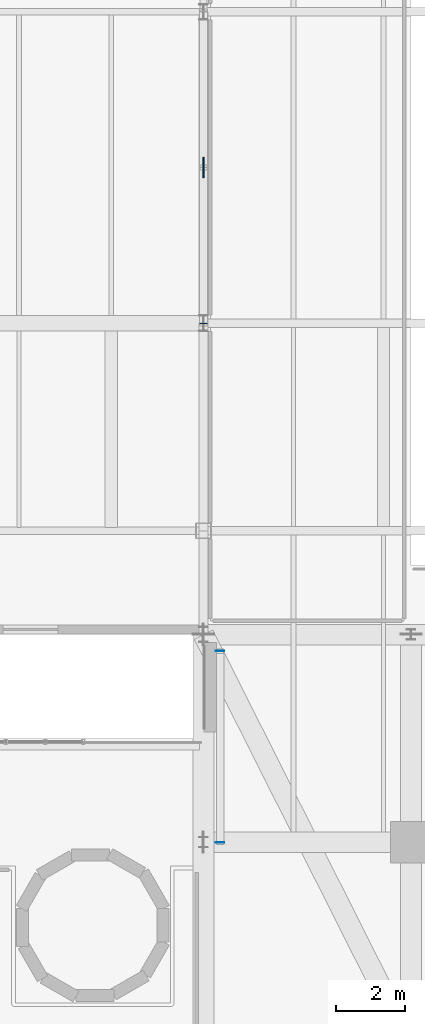
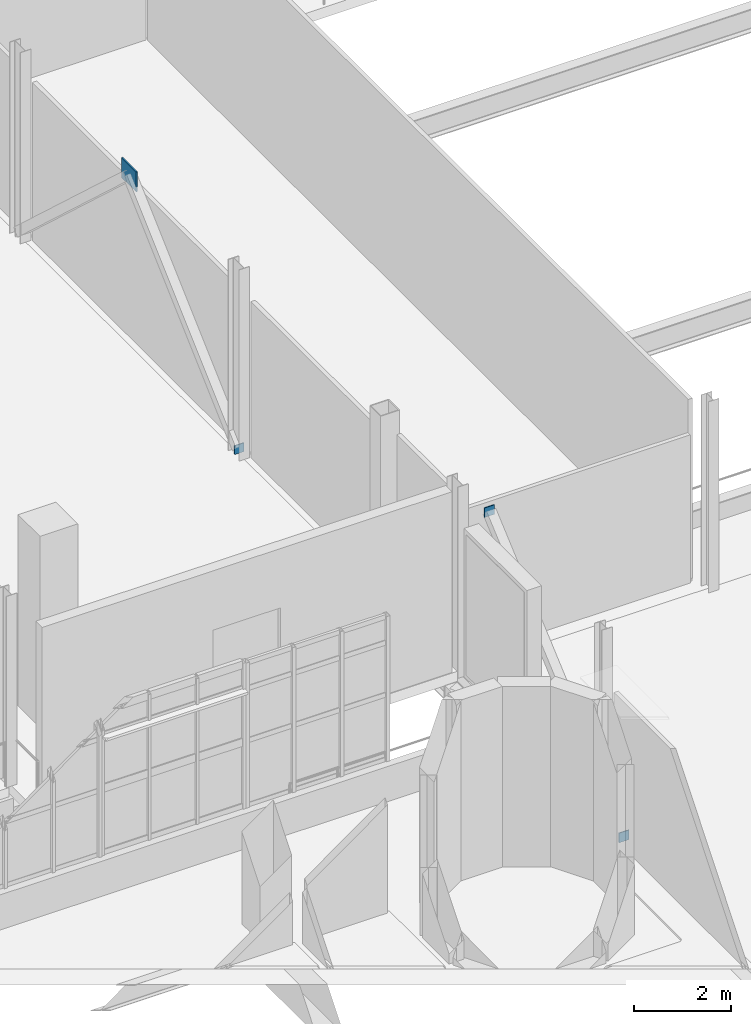
# One storey, part 78 of 100: 4 plates.
"""IFC4 building model written with IfcOpenShell, lengths in metres."""

from ifc_helpers import new_model, si_unit, derived_unit, direction, frame, origin, origin_2d, place, context, subcontext, project, spatial, rectangle, extrude, material, layer, layer_set, type_object, element, save


model = new_model("IFC4")

# Units and contexts
model_context = context("Model", 3, precision=1e-05, world=origin(), true_north=direction((0.0, 1.0)))
body_context = subcontext(model_context, "Body", "Model", "MODEL_VIEW")
ifc_project = project(units=[si_unit("LENGTHUNIT", "METRE"), si_unit("AREAUNIT", "SQUARE_METRE"), si_unit("VOLUMEUNIT", "CUBIC_METRE"), si_unit("PLANEANGLEUNIT", "RADIAN"), si_unit("MASSUNIT", "GRAM", prefix="KILO"), derived_unit("THERMALTRANSMITTANCEUNIT", [(si_unit("POWERUNIT", "WATT"), 1), (si_unit("LENGTHUNIT", "METRE"), -2), (si_unit("THERMODYNAMICTEMPERATUREUNIT", "KELVIN"), -1)])], contexts=[model_context])

# Site, building, storey
site_placement = place(None, origin())
site = spatial("IfcSite", under=ifc_project, at=site_placement, CompositionType="ELEMENT")
building_placement = place(site_placement, origin())
building = spatial("IfcBuilding", under=site, at=building_placement, Name="Nallur Shell Playhouse", CompositionType="ELEMENT")
storey_placement = place(building_placement, frame((0.0, 0.0, 10.199951171875)))
storey = spatial("IfcBuildingStorey", under=building, at=storey_placement, Name="L03", CompositionType="ELEMENT", Elevation=10.199951171875)

# Plates
ifc_material = material(Name="Steel E350", Category="steel")
ifc_layer_1 = layer(ifc_material, 0.02001953125)
ifc_layer_set_1 = layer_set([ifc_layer_1], Name="Steel E350")
plate_type_1 = type_object("IfcPlateType", Name="PT-ENDCAP-20", PredefinedType="SHEET", material=ifc_layer_set_1)
for number, where, z_axis, x_axis, name in (
    (1, (64.47998046875, 40.992431640625, -0.78662109375), (0.0, 0.0, 1.0), (1.0, 0.0, 0.0), "Hollow end cap EC-GBD-L03-2-A"),
    (2, (64.47998046875, 46.527587890625, 4.02685546875), (0.0, 0.0, 1.0), (1.0, 0.0, 0.0), "Hollow end cap EC-GBD-L03-2-B"),
):
    element("IfcPlate", number, at=place(storey_placement, frame(where, z_axis=z_axis, x_axis=x_axis)), inside=storey, type_object=plate_type_1, Name=name, PredefinedType="SHEET", context=body_context, shape_type="SweptSolid", body=[
        extrude(rectangle(XDim=0.239990234375, YDim=0.02001953125, at=origin_2d()), origin(), (0.0, 0.0, 1.0), 0.239990234375),
    ])
plate_1_placement = place(storey_placement, frame((64.0, 55.99267578125, 0.033203125), z_axis=(0.0, 0.0, 1.0), x_axis=(1.0, 0.0, 0.0)))
element("IfcPlate", 3, at=plate_1_placement, inside=storey, type_object=plate_type_1, Name="Hollow end cap EC-BR-FT-L03-017-0", PredefinedType="SHEET", context=body_context, shape_type="SweptSolid", body=[
    extrude(rectangle(XDim=0.219970703125, YDim=0.02001953125, at=origin_2d()), origin(), (0.0, 0.0, 1.0), 0.219970703125),
])
ifc_layer_2 = layer(ifc_material, 0.034912109375)
ifc_layer_set_2 = layer_set([ifc_layer_2], Name="Steel E350")
plate_type_2 = type_object("IfcPlateType", Name="PT-GUSSET-35", PredefinedType="USERDEFINED", material=ifc_layer_set_2)
plate_2_placement = place(storey_placement, frame((64.0, 60.5, 4.0400390625), z_axis=(0.0, 0.0, 1.0), x_axis=(1.0, 0.0, 0.0)))
element("IfcPlate", 4, at=plate_2_placement, inside=storey, type_object=plate_type_2, Name="Fly tower chevron node gusset plate TN-02 (L03)", ObjectType="GUSSET PLATE", PredefinedType="USERDEFINED", context=body_context, shape_type="SweptSolid", body=[
    extrude(rectangle(XDim=0.034912109375, YDim=0.60009765625, at=origin_2d()), origin(), (0.0, 0.0, 1.0), 0.5),
])

save(model, "model.ifc")
